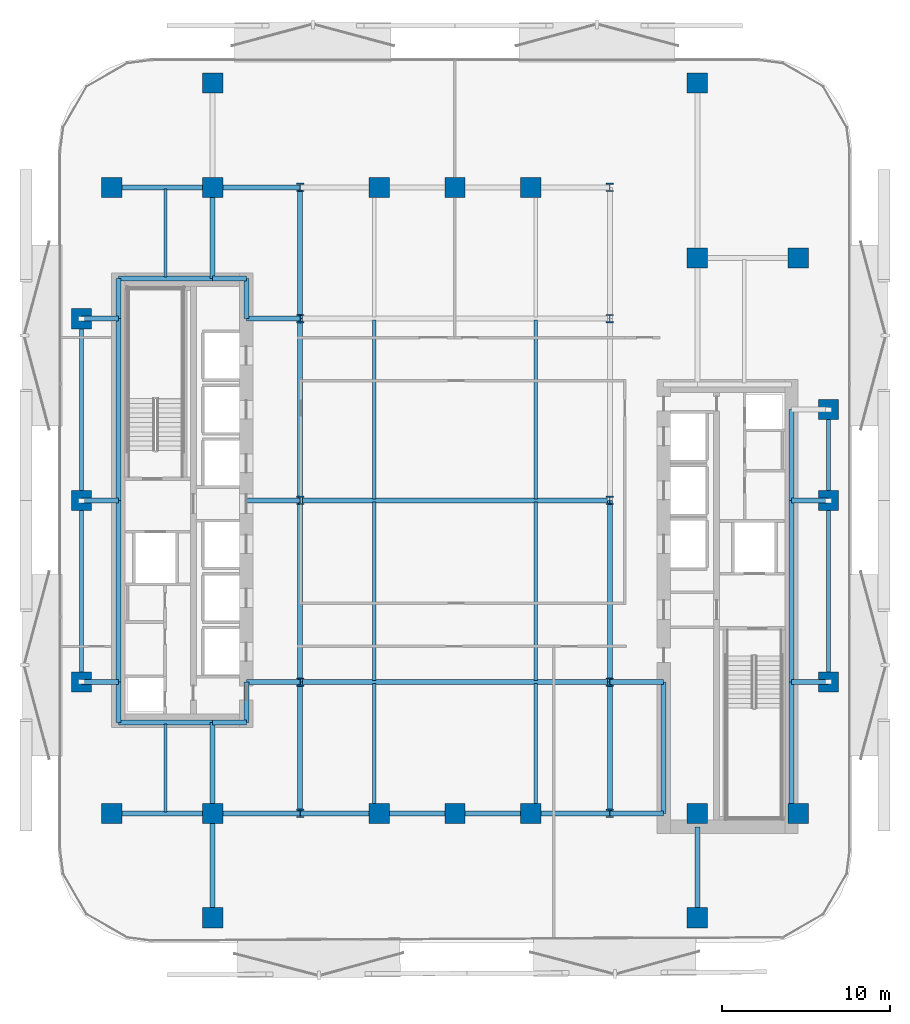
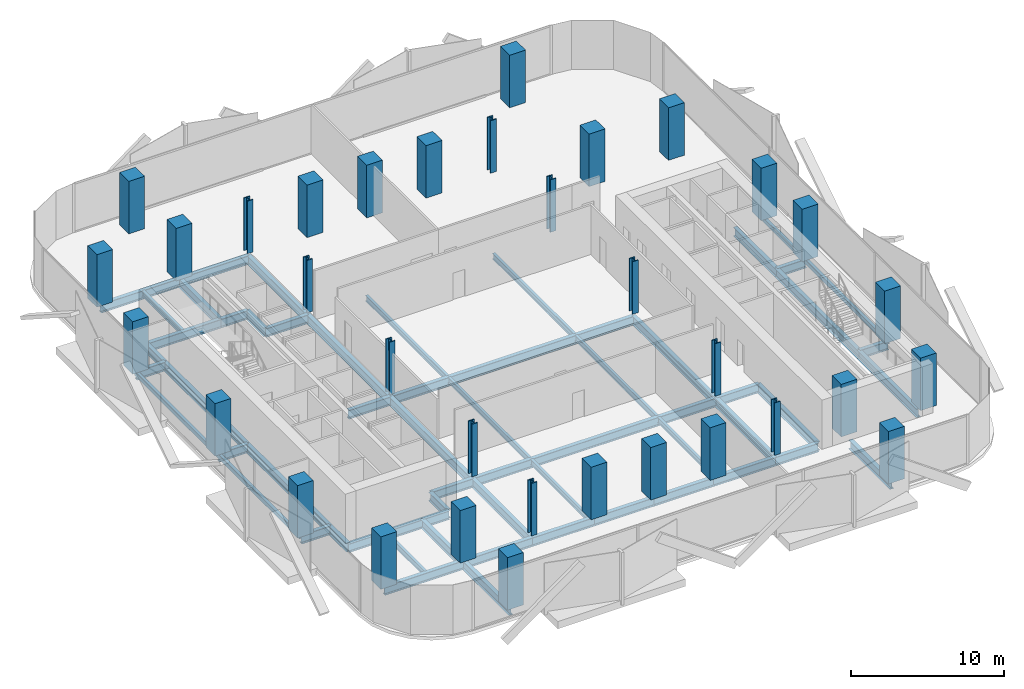
# One storey, part 1 of 14: 56 beams, 34 columns.
"""IFC4 building model written with IfcOpenShell, lengths in metres."""

from ifc_helpers import new_model, si_unit, direction, frame, origin, origin_2d, place, context, subcontext, project, spatial, rectangle, hollow_rectangle, i_section, extrude, material, material_profile, profile_set, type_object, element, save


model = new_model("IFC4")

# Units and contexts
model_context = context("Model", 3, precision=1e-05, world=origin(), true_north=direction((0.0, 1.0)))
body_context = subcontext(model_context, "Body", "Model", "MODEL_VIEW")
ifc_project = project(units=[si_unit("LENGTHUNIT", "METRE"), si_unit("AREAUNIT", "SQUARE_METRE"), si_unit("VOLUMEUNIT", "CUBIC_METRE"), si_unit("PLANEANGLEUNIT", "RADIAN"), si_unit("MASSUNIT", "GRAM", prefix="KILO")], contexts=[model_context])

# Site, building, storey
site_placement = place(None, origin())
site = spatial("IfcSite", under=ifc_project, at=site_placement, CompositionType="ELEMENT")
building_placement = place(site_placement, origin())
building = spatial("IfcBuilding", under=site, at=building_placement, Name="Khairoan Windgate Tower", CompositionType="ELEMENT")
storey_placement = place(building_placement, frame((0.0, 0.0, 93.199951171875)))
storey = spatial("IfcBuildingStorey", under=building, at=storey_placement, Name="L21", CompositionType="ELEMENT", Elevation=93.199951171875)

# Columns
ifc_material_1 = material(Name="Concrete C60/75", Category="concrete")
ifc_material_profile_1 = material_profile(ifc_material_1, rectangle(XDim=1.199951171875, YDim=1.199951171875, at=origin_2d()))
ifc_profile_set_1 = profile_set([ifc_material_profile_1], Name="Concrete C60/75")
column_type_1 = type_object("IfcColumnType", Name="Column C-T3 RC1200x1200", PredefinedType="COLUMN", material=ifc_profile_set_1)
for number, where, z_axis, x_axis, name in (
    (1, (-20.39990234375, -18.60009765625, 0.0), (0.0, 0.0, 1.0), (1.0, 0.0, 0.0), "Column L21-11"),
    (2, (-20.39990234375, 18.60009765625, 0.0), (0.0, 0.0, 1.0), (1.0, 0.0, 0.0), "Column L21-12"),
    (3, (20.39990234375, -18.60009765625, 0.0), (0.0, 0.0, 1.0), (1.0, 0.0, 0.0), "Column L21-13"),
    (4, (20.39990234375, 14.39990234375, 0.0), (0.0, 0.0, 1.0), (1.0, 0.0, 0.0), "Column L21-14"),
    (5, (-14.39990234375, -18.60009765625, 0.0), (0.0, 0.0, 1.0), (1.0, 0.0, 0.0), "Column L21-15"),
    (6, (-14.39990234375, 18.60009765625, 0.0), (0.0, 0.0, 1.0), (1.0, 0.0, 0.0), "Column L21-16"),
    (7, (14.39990234375, -18.60009765625, 0.0), (0.0, 0.0, 1.0), (1.0, 0.0, 0.0), "Column L21-17"),
    (8, (14.39990234375, 14.39990234375, 0.0), (0.0, 0.0, 1.0), (1.0, 0.0, 0.0), "Column L21-18"),
    (9, (-4.5, -18.60009765625, 0.0), (0.0, 0.0, 1.0), (1.0, 0.0, 0.0), "Column L21-19"),
    (10, (0.0, -18.60009765625, 0.0), (0.0, 0.0, 1.0), (1.0, 0.0, 0.0), "Column L21-20"),
    (11, (4.5, -18.60009765625, 0.0), (0.0, 0.0, 1.0), (1.0, 0.0, 0.0), "Column L21-21"),
    (12, (-4.5, 18.60009765625, 0.0), (0.0, 0.0, 1.0), (1.0, 0.0, 0.0), "Column L21-22"),
    (13, (0.0, 18.60009765625, 0.0), (0.0, 0.0, 1.0), (1.0, 0.0, 0.0), "Column L21-23"),
    (14, (4.5, 18.60009765625, 0.0), (0.0, 0.0, 1.0), (1.0, 0.0, 0.0), "Column L21-24"),
    (15, (-22.199951171875, -10.800048828125, 0.0), (0.0, 0.0, 1.0), (1.0, 0.0, 0.0), "Column L21-25"),
    (16, (-22.199951171875, 0.0, 0.0), (0.0, 0.0, 1.0), (1.0, 0.0, 0.0), "Column L21-26"),
    (17, (-22.199951171875, 10.800048828125, 0.0), (0.0, 0.0, 1.0), (1.0, 0.0, 0.0), "Column L21-27"),
    (18, (22.199951171875, -10.800048828125, 0.0), (0.0, 0.0, 1.0), (1.0, 0.0, 0.0), "Column L21-28"),
    (19, (22.199951171875, 0.0, 0.0), (0.0, 0.0, 1.0), (1.0, 0.0, 0.0), "Column L21-29"),
    (20, (22.199951171875, 5.39990234375, 0.0), (0.0, 0.0, 1.0), (1.0, 0.0, 0.0), "Column L21-30"),
    (21, (-14.39990234375, -24.800048828125, 0.0), (0.0, 0.0, 1.0), (1.0, 0.0, 0.0), "Column L21-31"),
    (22, (-14.39990234375, 24.800048828125, 0.0), (0.0, 0.0, 1.0), (1.0, 0.0, 0.0), "Column L21-32"),
    (23, (14.39990234375, -24.800048828125, 0.0), (0.0, 0.0, 1.0), (1.0, 0.0, 0.0), "Column L21-33"),
    (24, (14.39990234375, 24.800048828125, 0.0), (0.0, 0.0, 1.0), (1.0, 0.0, 0.0), "Column L21-34"),
):
    element("IfcColumn", number, at=place(storey_placement, frame(where, z_axis=z_axis, x_axis=x_axis)), inside=storey, type_object=column_type_1, Name=name, PredefinedType="COLUMN", context=body_context, shape_type="SweptSolid", body=[
        extrude(rectangle(XDim=1.199951171875, YDim=1.199951171875, at=origin_2d()), origin(), (0.0, 0.0, 1.0), 4.199951171875),
    ])
ifc_material_2 = material(Name="Steel S355", Category="steel")
ifc_material_profile_2 = material_profile(ifc_material_2, i_section(OverallWidth=0.431884765625, OverallDepth=0.498046875, WebThickness=0.044921875, FlangeThickness=0.070068359375, FilletRadius=0.02197265625, at=origin_2d()))
ifc_profile_set_2 = profile_set([ifc_material_profile_2], Name="Steel S355")
column_type_2 = type_object("IfcColumnType", Name="Steel Column SC1 H498x432x45x70", PredefinedType="COLUMN", material=ifc_profile_set_2)
for number, where, z_axis, x_axis, name in (
    (25, (-9.199951171875, -18.60009765625, 0.0), (0.0, 0.0, 1.0), (1.0, 0.0, 0.0), "Column L21-01"),
    (26, (-9.199951171875, -10.800048828125, 0.0), (0.0, 0.0, 1.0), (1.0, 0.0, 0.0), "Column L21-02"),
    (27, (-9.199951171875, 0.0, 0.0), (0.0, 0.0, 1.0), (1.0, 0.0, 0.0), "Column L21-03"),
    (28, (-9.199951171875, 10.800048828125, 0.0), (0.0, 0.0, 1.0), (1.0, 0.0, 0.0), "Column L21-04"),
    (29, (-9.199951171875, 18.60009765625, 0.0), (0.0, 0.0, 1.0), (1.0, 0.0, 0.0), "Column L21-05"),
    (30, (9.199951171875, -18.60009765625, 0.0), (0.0, 0.0, 1.0), (1.0, 0.0, 0.0), "Column L21-06"),
    (31, (9.199951171875, -10.800048828125, 0.0), (0.0, 0.0, 1.0), (1.0, 0.0, 0.0), "Column L21-07"),
    (32, (9.199951171875, 0.0, 0.0), (0.0, 0.0, 1.0), (1.0, 0.0, 0.0), "Column L21-08"),
    (33, (9.199951171875, 10.800048828125, 0.0), (0.0, 0.0, 1.0), (1.0, 0.0, 0.0), "Column L21-09"),
    (34, (9.199951171875, 18.60009765625, 0.0), (0.0, 0.0, 1.0), (1.0, 0.0, 0.0), "Column L21-10"),
):
    element("IfcColumn", number, at=place(storey_placement, frame(where, z_axis=z_axis, x_axis=x_axis)), inside=storey, type_object=column_type_2, Name=name, PredefinedType="COLUMN", context=body_context, shape_type="SweptSolid", body=[
        extrude(i_section(OverallWidth=0.431884765625, OverallDepth=0.498046875, WebThickness=0.044921875, FlangeThickness=0.070068359375, FilletRadius=0.02197265625, at=origin_2d()), origin(), (0.0, 0.0, 1.0), 4.199951171875),
    ])

# Beams
ifc_material_3 = material(Name="Steel S355", Category="steel")
ifc_material_profile_3 = material_profile(ifc_material_3, i_section(OverallWidth=0.300048828125, OverallDepth=0.699951171875, WebThickness=0.012939453125, FlangeThickness=0.02392578125, FilletRadius=0.02587890625, at=origin_2d()))
ifc_profile_set_3 = profile_set([ifc_material_profile_3], Name="Steel S355")
beam_type_1 = type_object("IfcBeamType", Name="Beam B-G3 H700x300x13x24", PredefinedType="BEAM", material=ifc_profile_set_3)
beam_1_placement = place(storey_placement, frame((-20.39990234375, -18.60009765625, -0.60986328125), z_axis=(1.0, 0.0, 0.0), x_axis=(0.0, 1.0, 0.0)))
element("IfcBeam", 35, at=beam_1_placement, inside=storey, type_object=beam_type_1, Name="L21 E-W Primary Girder 01", PredefinedType="BEAM", context=body_context, shape_type="SweptSolid", body=[
    extrude(i_section(OverallWidth=0.300048828125, OverallDepth=0.699951171875, WebThickness=0.012939453125, FlangeThickness=0.02392578125, FilletRadius=0.02587890625, at=origin_2d()), origin(), (0.0, 0.0, 1.0), 6.0),
])
beam_2_placement = place(storey_placement, frame((-14.39990234375, -18.60009765625, -0.60986328125), z_axis=(1.0, 0.0, 0.0), x_axis=(0.0, 1.0, 0.0)))
element("IfcBeam", 36, at=beam_2_placement, inside=storey, type_object=beam_type_1, Name="L21 E-W Primary Girder 02", PredefinedType="BEAM", context=body_context, shape_type="SweptSolid", body=[
    extrude(i_section(OverallWidth=0.300048828125, OverallDepth=0.699951171875, WebThickness=0.012939453125, FlangeThickness=0.02392578125, FilletRadius=0.02587890625, at=origin_2d()), origin(), (0.0, 0.0, 1.0), 5.199951171875),
])
beam_3_placement = place(storey_placement, frame((-9.199951171875, -18.60009765625, -0.60986328125), z_axis=(1.0, 0.0, 0.0), x_axis=(0.0, 1.0, 0.0)))
element("IfcBeam", 37, at=beam_3_placement, inside=storey, type_object=beam_type_1, Name="L21 E-W Primary Girder 03", PredefinedType="BEAM", context=body_context, shape_type="SweptSolid", body=[
    extrude(i_section(OverallWidth=0.300048828125, OverallDepth=0.699951171875, WebThickness=0.012939453125, FlangeThickness=0.02392578125, FilletRadius=0.02587890625, at=origin_2d()), origin(), (0.0, 0.0, 1.0), 4.699951171875),
])
for number, where, z_axis, x_axis, name in (
    (38, (-4.5, -18.60009765625, -0.60986328125), (1.0, 0.0, 0.0), (0.0, 1.0, 0.0), "L21 E-W Primary Girder 04"),
    (39, (0.0, -18.60009765625, -0.60986328125), (1.0, 0.0, 0.0), (0.0, 1.0, 0.0), "L21 E-W Primary Girder 05"),
):
    element("IfcBeam", number, at=place(storey_placement, frame(where, z_axis=z_axis, x_axis=x_axis)), inside=storey, type_object=beam_type_1, Name=name, PredefinedType="BEAM", context=body_context, shape_type="SweptSolid", body=[
        extrude(i_section(OverallWidth=0.300048828125, OverallDepth=0.699951171875, WebThickness=0.012939453125, FlangeThickness=0.02392578125, FilletRadius=0.02587890625, at=origin_2d()), origin(), (0.0, 0.0, 1.0), 4.5),
    ])
beam_4_placement = place(storey_placement, frame((4.5, -18.60009765625, -0.60986328125), z_axis=(1.0, 0.0, 0.0), x_axis=(0.0, 1.0, 0.0)))
element("IfcBeam", 40, at=beam_4_placement, inside=storey, type_object=beam_type_1, Name="L21 E-W Primary Girder 06", PredefinedType="BEAM", context=body_context, shape_type="SweptSolid", body=[
    extrude(i_section(OverallWidth=0.300048828125, OverallDepth=0.699951171875, WebThickness=0.012939453125, FlangeThickness=0.02392578125, FilletRadius=0.02587890625, at=origin_2d()), origin(), (0.0, 0.0, 1.0), 4.699951171875),
])
beam_5_placement = place(storey_placement, frame((9.199951171875, -18.60009765625, -0.60986328125), z_axis=(1.0, 0.0, 0.0), x_axis=(0.0, 1.0, 0.0)))
element("IfcBeam", 41, at=beam_5_placement, inside=storey, type_object=beam_type_1, Name="L21 E-W Primary Girder 07", PredefinedType="BEAM", context=body_context, shape_type="SweptSolid", body=[
    extrude(i_section(OverallWidth=0.300048828125, OverallDepth=0.699951171875, WebThickness=0.012939453125, FlangeThickness=0.02392578125, FilletRadius=0.02587890625, at=origin_2d()), origin(), (0.0, 0.0, 1.0), 3.199951171875),
])
beam_6_placement = place(storey_placement, frame((-20.0, -13.199951171875, -0.60986328125), z_axis=(1.0, 0.0, 0.0), x_axis=(0.0, 1.0, 0.0)))
element("IfcBeam", 42, at=beam_6_placement, inside=storey, type_object=beam_type_1, Name="L21 E-W Primary Girder 08", PredefinedType="BEAM", context=body_context, shape_type="SweptSolid", body=[
    extrude(i_section(OverallWidth=0.300048828125, OverallDepth=0.699951171875, WebThickness=0.012939453125, FlangeThickness=0.02392578125, FilletRadius=0.02587890625, at=origin_2d()), origin(), (0.0, 0.0, 1.0), 5.60009765625),
])
beam_7_placement = place(storey_placement, frame((-14.39990234375, -13.199951171875, -0.60986328125), z_axis=(1.0, 0.0, 0.0), x_axis=(0.0, 1.0, 0.0)))
element("IfcBeam", 43, at=beam_7_placement, inside=storey, type_object=beam_type_1, Name="L21 E-W Primary Girder 09", PredefinedType="BEAM", context=body_context, shape_type="SweptSolid", body=[
    extrude(i_section(OverallWidth=0.300048828125, OverallDepth=0.699951171875, WebThickness=0.012939453125, FlangeThickness=0.02392578125, FilletRadius=0.02587890625, at=origin_2d()), origin(), (0.0, 0.0, 1.0), 2.0),
])
beam_8_placement = place(storey_placement, frame((-22.199951171875, -10.800048828125, -0.60986328125), z_axis=(1.0, 0.0, 0.0), x_axis=(0.0, 1.0, 0.0)))
element("IfcBeam", 44, at=beam_8_placement, inside=storey, type_object=beam_type_1, Name="L21 E-W Primary Girder 10", PredefinedType="BEAM", context=body_context, shape_type="SweptSolid", body=[
    extrude(i_section(OverallWidth=0.300048828125, OverallDepth=0.699951171875, WebThickness=0.012939453125, FlangeThickness=0.02392578125, FilletRadius=0.02587890625, at=origin_2d()), origin(), (0.0, 0.0, 1.0), 2.199951171875),
])
beam_9_placement = place(storey_placement, frame((-12.39990234375, -10.800048828125, -0.60986328125), z_axis=(1.0, 0.0, 0.0), x_axis=(0.0, 1.0, 0.0)))
element("IfcBeam", 45, at=beam_9_placement, inside=storey, type_object=beam_type_1, Name="L21 E-W Primary Girder 11", PredefinedType="BEAM", context=body_context, shape_type="SweptSolid", body=[
    extrude(i_section(OverallWidth=0.300048828125, OverallDepth=0.699951171875, WebThickness=0.012939453125, FlangeThickness=0.02392578125, FilletRadius=0.02587890625, at=origin_2d()), origin(), (0.0, 0.0, 1.0), 3.199951171875),
])
beam_10_placement = place(storey_placement, frame((-9.199951171875, -10.800048828125, -0.60986328125), z_axis=(1.0, 0.0, 0.0), x_axis=(0.0, 1.0, 0.0)))
element("IfcBeam", 46, at=beam_10_placement, inside=storey, type_object=beam_type_1, Name="L21 E-W Primary Girder 12", PredefinedType="BEAM", context=body_context, shape_type="SweptSolid", body=[
    extrude(i_section(OverallWidth=0.300048828125, OverallDepth=0.699951171875, WebThickness=0.012939453125, FlangeThickness=0.02392578125, FilletRadius=0.02587890625, at=origin_2d()), origin(), (0.0, 0.0, 1.0), 18.39990234375),
])
beam_11_placement = place(storey_placement, frame((9.199951171875, -10.800048828125, -0.60986328125), z_axis=(1.0, 0.0, 0.0), x_axis=(0.0, 1.0, 0.0)))
element("IfcBeam", 47, at=beam_11_placement, inside=storey, type_object=beam_type_1, Name="L21 E-W Primary Girder 13", PredefinedType="BEAM", context=body_context, shape_type="SweptSolid", body=[
    extrude(i_section(OverallWidth=0.300048828125, OverallDepth=0.699951171875, WebThickness=0.012939453125, FlangeThickness=0.02392578125, FilletRadius=0.02587890625, at=origin_2d()), origin(), (0.0, 0.0, 1.0), 3.199951171875),
])
for number, where, z_axis, x_axis, name in (
    (48, (20.0, -10.800048828125, -0.60986328125), (1.0, 0.0, 0.0), (0.0, 1.0, 0.0), "L21 E-W Primary Girder 14"),
    (49, (-22.199951171875, 0.0, -0.60986328125), (1.0, 0.0, 0.0), (0.0, 1.0, 0.0), "L21 E-W Primary Girder 15"),
):
    element("IfcBeam", number, at=place(storey_placement, frame(where, z_axis=z_axis, x_axis=x_axis)), inside=storey, type_object=beam_type_1, Name=name, PredefinedType="BEAM", context=body_context, shape_type="SweptSolid", body=[
        extrude(i_section(OverallWidth=0.300048828125, OverallDepth=0.699951171875, WebThickness=0.012939453125, FlangeThickness=0.02392578125, FilletRadius=0.02587890625, at=origin_2d()), origin(), (0.0, 0.0, 1.0), 2.199951171875),
    ])
beam_12_placement = place(storey_placement, frame((-12.39990234375, 0.0, -0.60986328125), z_axis=(1.0, 0.0, 0.0), x_axis=(0.0, 1.0, 0.0)))
element("IfcBeam", 50, at=beam_12_placement, inside=storey, type_object=beam_type_1, Name="L21 E-W Primary Girder 16", PredefinedType="BEAM", context=body_context, shape_type="SweptSolid", body=[
    extrude(i_section(OverallWidth=0.300048828125, OverallDepth=0.699951171875, WebThickness=0.012939453125, FlangeThickness=0.02392578125, FilletRadius=0.02587890625, at=origin_2d()), origin(), (0.0, 0.0, 1.0), 3.199951171875),
])
beam_13_placement = place(storey_placement, frame((-9.199951171875, 0.0, -0.60986328125), z_axis=(1.0, 0.0, 0.0), x_axis=(0.0, 1.0, 0.0)))
element("IfcBeam", 51, at=beam_13_placement, inside=storey, type_object=beam_type_1, Name="L21 E-W Primary Girder 17", PredefinedType="BEAM", context=body_context, shape_type="SweptSolid", body=[
    extrude(i_section(OverallWidth=0.300048828125, OverallDepth=0.699951171875, WebThickness=0.012939453125, FlangeThickness=0.02392578125, FilletRadius=0.02587890625, at=origin_2d()), origin(), (0.0, 0.0, 1.0), 18.39990234375),
])
for number, where, z_axis, x_axis, name in (
    (52, (20.0, 0.0, -0.60986328125), (1.0, 0.0, 0.0), (0.0, 1.0, 0.0), "L21 E-W Primary Girder 18"),
    (53, (-22.199951171875, 10.800048828125, -0.60986328125), (1.0, 0.0, 0.0), (0.0, 1.0, 0.0), "L21 E-W Primary Girder 22"),
):
    element("IfcBeam", number, at=place(storey_placement, frame(where, z_axis=z_axis, x_axis=x_axis)), inside=storey, type_object=beam_type_1, Name=name, PredefinedType="BEAM", context=body_context, shape_type="SweptSolid", body=[
        extrude(i_section(OverallWidth=0.300048828125, OverallDepth=0.699951171875, WebThickness=0.012939453125, FlangeThickness=0.02392578125, FilletRadius=0.02587890625, at=origin_2d()), origin(), (0.0, 0.0, 1.0), 2.199951171875),
    ])
beam_14_placement = place(storey_placement, frame((-12.39990234375, 10.800048828125, -0.60986328125), z_axis=(1.0, 0.0, 0.0), x_axis=(0.0, 1.0, 0.0)))
element("IfcBeam", 54, at=beam_14_placement, inside=storey, type_object=beam_type_1, Name="L21 E-W Primary Girder 23", PredefinedType="BEAM", context=body_context, shape_type="SweptSolid", body=[
    extrude(i_section(OverallWidth=0.300048828125, OverallDepth=0.699951171875, WebThickness=0.012939453125, FlangeThickness=0.02392578125, FilletRadius=0.02587890625, at=origin_2d()), origin(), (0.0, 0.0, 1.0), 3.199951171875),
])
beam_15_placement = place(storey_placement, frame((-20.0, 13.199951171875, -0.60986328125), z_axis=(1.0, 0.0, 0.0), x_axis=(0.0, 1.0, 0.0)))
element("IfcBeam", 55, at=beam_15_placement, inside=storey, type_object=beam_type_1, Name="L21 E-W Primary Girder 25", PredefinedType="BEAM", context=body_context, shape_type="SweptSolid", body=[
    extrude(i_section(OverallWidth=0.300048828125, OverallDepth=0.699951171875, WebThickness=0.012939453125, FlangeThickness=0.02392578125, FilletRadius=0.02587890625, at=origin_2d()), origin(), (0.0, 0.0, 1.0), 5.60009765625),
])
beam_16_placement = place(storey_placement, frame((-14.39990234375, 13.199951171875, -0.60986328125), z_axis=(1.0, 0.0, 0.0), x_axis=(0.0, 1.0, 0.0)))
element("IfcBeam", 56, at=beam_16_placement, inside=storey, type_object=beam_type_1, Name="L21 E-W Primary Girder 26", PredefinedType="BEAM", context=body_context, shape_type="SweptSolid", body=[
    extrude(i_section(OverallWidth=0.300048828125, OverallDepth=0.699951171875, WebThickness=0.012939453125, FlangeThickness=0.02392578125, FilletRadius=0.02587890625, at=origin_2d()), origin(), (0.0, 0.0, 1.0), 2.0),
])
beam_17_placement = place(storey_placement, frame((-20.39990234375, 18.60009765625, -0.60986328125), z_axis=(1.0, 0.0, 0.0), x_axis=(0.0, 1.0, 0.0)))
element("IfcBeam", 57, at=beam_17_placement, inside=storey, type_object=beam_type_1, Name="L21 E-W Primary Girder 28", PredefinedType="BEAM", context=body_context, shape_type="SweptSolid", body=[
    extrude(i_section(OverallWidth=0.300048828125, OverallDepth=0.699951171875, WebThickness=0.012939453125, FlangeThickness=0.02392578125, FilletRadius=0.02587890625, at=origin_2d()), origin(), (0.0, 0.0, 1.0), 6.0),
])
beam_18_placement = place(storey_placement, frame((-14.39990234375, 18.60009765625, -0.60986328125), z_axis=(1.0, 0.0, 0.0), x_axis=(0.0, 1.0, 0.0)))
element("IfcBeam", 58, at=beam_18_placement, inside=storey, type_object=beam_type_1, Name="L21 E-W Primary Girder 29", PredefinedType="BEAM", context=body_context, shape_type="SweptSolid", body=[
    extrude(i_section(OverallWidth=0.300048828125, OverallDepth=0.699951171875, WebThickness=0.012939453125, FlangeThickness=0.02392578125, FilletRadius=0.02587890625, at=origin_2d()), origin(), (0.0, 0.0, 1.0), 5.199951171875),
])
beam_19_placement = place(storey_placement, frame((-20.0, -13.199951171875, -0.60986328125), z_axis=(0.0, 1.0, 0.0), x_axis=(-1.0, 0.0, 0.0)))
element("IfcBeam", 59, at=beam_19_placement, inside=storey, type_object=beam_type_1, Name="L21 N-S Primary Beam 36", PredefinedType="BEAM", context=body_context, shape_type="SweptSolid", body=[
    extrude(i_section(OverallWidth=0.300048828125, OverallDepth=0.699951171875, WebThickness=0.012939453125, FlangeThickness=0.02392578125, FilletRadius=0.02587890625, at=origin_2d()), origin(), (0.0, 0.0, 1.0), 2.39990234375),
])
for number, where, z_axis, x_axis, name in (
    (60, (-20.0, -10.800048828125, -0.60986328125), (0.0, 1.0, 0.0), (-1.0, 0.0, 0.0), "L21 N-S Primary Beam 37"),
    (61, (-20.0, 0.0, -0.60986328125), (0.0, 1.0, 0.0), (-1.0, 0.0, 0.0), "L21 N-S Primary Beam 38"),
):
    element("IfcBeam", number, at=place(storey_placement, frame(where, z_axis=z_axis, x_axis=x_axis)), inside=storey, type_object=beam_type_1, Name=name, PredefinedType="BEAM", context=body_context, shape_type="SweptSolid", body=[
        extrude(i_section(OverallWidth=0.300048828125, OverallDepth=0.699951171875, WebThickness=0.012939453125, FlangeThickness=0.02392578125, FilletRadius=0.02587890625, at=origin_2d()), origin(), (0.0, 0.0, 1.0), 10.800048828125),
    ])
beam_20_placement = place(storey_placement, frame((-20.0, 10.800048828125, -0.60986328125), z_axis=(0.0, 1.0, 0.0), x_axis=(-1.0, 0.0, 0.0)))
element("IfcBeam", 62, at=beam_20_placement, inside=storey, type_object=beam_type_1, Name="L21 N-S Primary Beam 39", PredefinedType="BEAM", context=body_context, shape_type="SweptSolid", body=[
    extrude(i_section(OverallWidth=0.300048828125, OverallDepth=0.699951171875, WebThickness=0.012939453125, FlangeThickness=0.02392578125, FilletRadius=0.02587890625, at=origin_2d()), origin(), (0.0, 0.0, 1.0), 2.39990234375),
])
beam_21_placement = place(storey_placement, frame((-14.39990234375, -24.800048828125, -0.60986328125), z_axis=(0.0, 1.0, 0.0), x_axis=(-1.0, 0.0, 0.0)))
element("IfcBeam", 63, at=beam_21_placement, inside=storey, type_object=beam_type_1, Name="L21 N-S Primary Beam 40", PredefinedType="BEAM", context=body_context, shape_type="SweptSolid", body=[
    extrude(i_section(OverallWidth=0.300048828125, OverallDepth=0.699951171875, WebThickness=0.012939453125, FlangeThickness=0.02392578125, FilletRadius=0.02587890625, at=origin_2d()), origin(), (0.0, 0.0, 1.0), 6.199951171875),
])
for number, where, z_axis, x_axis, name in (
    (64, (-14.39990234375, -18.60009765625, -0.60986328125), (0.0, 1.0, 0.0), (-1.0, 0.0, 0.0), "L21 N-S Primary Beam 41"),
    (65, (-14.39990234375, 13.199951171875, -0.60986328125), (0.0, 1.0, 0.0), (-1.0, 0.0, 0.0), "L21 N-S Primary Beam 42"),
):
    element("IfcBeam", number, at=place(storey_placement, frame(where, z_axis=z_axis, x_axis=x_axis)), inside=storey, type_object=beam_type_1, Name=name, PredefinedType="BEAM", context=body_context, shape_type="SweptSolid", body=[
        extrude(i_section(OverallWidth=0.300048828125, OverallDepth=0.699951171875, WebThickness=0.012939453125, FlangeThickness=0.02392578125, FilletRadius=0.02587890625, at=origin_2d()), origin(), (0.0, 0.0, 1.0), 5.400146484375),
    ])
for number, where, z_axis, x_axis, name in (
    (66, (-12.39990234375, -13.199951171875, -0.60986328125), (0.0, 1.0, 0.0), (-1.0, 0.0, 0.0), "L21 N-S Primary Beam 44"),
    (67, (-12.39990234375, 10.800048828125, -0.60986328125), (0.0, 1.0, 0.0), (-1.0, 0.0, 0.0), "L21 N-S Primary Beam 45"),
):
    element("IfcBeam", number, at=place(storey_placement, frame(where, z_axis=z_axis, x_axis=x_axis)), inside=storey, type_object=beam_type_1, Name=name, PredefinedType="BEAM", context=body_context, shape_type="SweptSolid", body=[
        extrude(i_section(OverallWidth=0.300048828125, OverallDepth=0.699951171875, WebThickness=0.012939453125, FlangeThickness=0.02392578125, FilletRadius=0.02587890625, at=origin_2d()), origin(), (0.0, 0.0, 1.0), 2.39990234375),
    ])
beam_22_placement = place(storey_placement, frame((-9.199951171875, -18.60009765625, -0.60986328125), z_axis=(0.0, 1.0, 0.0), x_axis=(-1.0, 0.0, 0.0)))
element("IfcBeam", 68, at=beam_22_placement, inside=storey, type_object=beam_type_1, Name="L21 N-S Primary Beam 46", PredefinedType="BEAM", context=body_context, shape_type="SweptSolid", body=[
    extrude(i_section(OverallWidth=0.300048828125, OverallDepth=0.699951171875, WebThickness=0.012939453125, FlangeThickness=0.02392578125, FilletRadius=0.02587890625, at=origin_2d()), origin(), (0.0, 0.0, 1.0), 7.800048828125),
])
for number, where, z_axis, x_axis, name in (
    (69, (-9.199951171875, -10.800048828125, -0.60986328125), (0.0, 1.0, 0.0), (-1.0, 0.0, 0.0), "L21 N-S Primary Beam 47"),
    (70, (-9.199951171875, 0.0, -0.60986328125), (0.0, 1.0, 0.0), (-1.0, 0.0, 0.0), "L21 N-S Primary Beam 48"),
):
    element("IfcBeam", number, at=place(storey_placement, frame(where, z_axis=z_axis, x_axis=x_axis)), inside=storey, type_object=beam_type_1, Name=name, PredefinedType="BEAM", context=body_context, shape_type="SweptSolid", body=[
        extrude(i_section(OverallWidth=0.300048828125, OverallDepth=0.699951171875, WebThickness=0.012939453125, FlangeThickness=0.02392578125, FilletRadius=0.02587890625, at=origin_2d()), origin(), (0.0, 0.0, 1.0), 10.800048828125),
    ])
for number, where, z_axis, x_axis, name in (
    (71, (-9.199951171875, 10.800048828125, -0.60986328125), (0.0, 1.0, 0.0), (-1.0, 0.0, 0.0), "L21 N-S Primary Beam 49"),
    (72, (9.199951171875, -18.60009765625, -0.60986328125), (0.0, 1.0, 0.0), (-1.0, 0.0, 0.0), "L21 N-S Primary Beam 50"),
):
    element("IfcBeam", number, at=place(storey_placement, frame(where, z_axis=z_axis, x_axis=x_axis)), inside=storey, type_object=beam_type_1, Name=name, PredefinedType="BEAM", context=body_context, shape_type="SweptSolid", body=[
        extrude(i_section(OverallWidth=0.300048828125, OverallDepth=0.699951171875, WebThickness=0.012939453125, FlangeThickness=0.02392578125, FilletRadius=0.02587890625, at=origin_2d()), origin(), (0.0, 0.0, 1.0), 7.800048828125),
    ])
beam_23_placement = place(storey_placement, frame((9.199951171875, -10.800048828125, -0.60986328125), z_axis=(0.0, 1.0, 0.0), x_axis=(-1.0, 0.0, 0.0)))
element("IfcBeam", 73, at=beam_23_placement, inside=storey, type_object=beam_type_1, Name="L21 N-S Primary Beam 51", PredefinedType="BEAM", context=body_context, shape_type="SweptSolid", body=[
    extrude(i_section(OverallWidth=0.300048828125, OverallDepth=0.699951171875, WebThickness=0.012939453125, FlangeThickness=0.02392578125, FilletRadius=0.02587890625, at=origin_2d()), origin(), (0.0, 0.0, 1.0), 10.800048828125),
])
beam_24_placement = place(storey_placement, frame((12.39990234375, -18.60009765625, -0.60986328125), z_axis=(0.0, 1.0, 0.0), x_axis=(-1.0, 0.0, 0.0)))
element("IfcBeam", 74, at=beam_24_placement, inside=storey, type_object=beam_type_1, Name="L21 N-S Primary Beam 54", PredefinedType="BEAM", context=body_context, shape_type="SweptSolid", body=[
    extrude(i_section(OverallWidth=0.300048828125, OverallDepth=0.699951171875, WebThickness=0.012939453125, FlangeThickness=0.02392578125, FilletRadius=0.02587890625, at=origin_2d()), origin(), (0.0, 0.0, 1.0), 7.800048828125),
])
beam_25_placement = place(storey_placement, frame((14.39990234375, -24.800048828125, -0.60986328125), z_axis=(0.0, 1.0, 0.0), x_axis=(-1.0, 0.0, 0.0)))
element("IfcBeam", 75, at=beam_25_placement, inside=storey, type_object=beam_type_1, Name="L21 N-S Primary Beam 55", PredefinedType="BEAM", context=body_context, shape_type="SweptSolid", body=[
    extrude(i_section(OverallWidth=0.300048828125, OverallDepth=0.699951171875, WebThickness=0.012939453125, FlangeThickness=0.02392578125, FilletRadius=0.02587890625, at=origin_2d()), origin(), (0.0, 0.0, 1.0), 5.400146484375),
])
beam_26_placement = place(storey_placement, frame((20.0, -18.60009765625, -0.60986328125), z_axis=(0.0, 1.0, 0.0), x_axis=(-1.0, 0.0, 0.0)))
element("IfcBeam", 76, at=beam_26_placement, inside=storey, type_object=beam_type_1, Name="L21 N-S Primary Beam 58", PredefinedType="BEAM", context=body_context, shape_type="SweptSolid", body=[
    extrude(i_section(OverallWidth=0.300048828125, OverallDepth=0.699951171875, WebThickness=0.012939453125, FlangeThickness=0.02392578125, FilletRadius=0.02587890625, at=origin_2d()), origin(), (0.0, 0.0, 1.0), 7.800048828125),
])
beam_27_placement = place(storey_placement, frame((20.0, -10.800048828125, -0.60986328125), z_axis=(0.0, 1.0, 0.0), x_axis=(-1.0, 0.0, 0.0)))
element("IfcBeam", 77, at=beam_27_placement, inside=storey, type_object=beam_type_1, Name="L21 N-S Primary Beam 59", PredefinedType="BEAM", context=body_context, shape_type="SweptSolid", body=[
    extrude(i_section(OverallWidth=0.300048828125, OverallDepth=0.699951171875, WebThickness=0.012939453125, FlangeThickness=0.02392578125, FilletRadius=0.02587890625, at=origin_2d()), origin(), (0.0, 0.0, 1.0), 10.800048828125),
])
beam_28_placement = place(storey_placement, frame((20.0, 0.0, -0.60986328125), z_axis=(0.0, 1.0, 0.0), x_axis=(-1.0, 0.0, 0.0)))
element("IfcBeam", 78, at=beam_28_placement, inside=storey, type_object=beam_type_1, Name="L21 N-S Primary Beam 60", PredefinedType="BEAM", context=body_context, shape_type="SweptSolid", body=[
    extrude(i_section(OverallWidth=0.300048828125, OverallDepth=0.699951171875, WebThickness=0.012939453125, FlangeThickness=0.02392578125, FilletRadius=0.02587890625, at=origin_2d()), origin(), (0.0, 0.0, 1.0), 5.39990234375),
])
ifc_material_4 = material(Name="Steel S355", Category="steel")
ifc_material_profile_4 = material_profile(ifc_material_4, i_section(OverallWidth=0.199951171875, OverallDepth=0.449951171875, WebThickness=0.009033203125, FlangeThickness=0.013916015625, FilletRadius=0.01806640625, at=origin_2d()))
ifc_profile_set_4 = profile_set([ifc_material_profile_4], Name="Steel S355")
beam_type_2 = type_object("IfcBeamType", Name="Beam J-S3 H450x200x9x14", PredefinedType="JOIST", material=ifc_profile_set_4)
for number, where, z_axis, x_axis, name in (
    (79, (-17.199951171875, -18.510009765625, -0.48486328125), (0.0, 1.0, 0.0), (-1.0, 0.0, 0.0), "L21 Secondary Floor Joist 01"),
    (80, (-17.199951171875, 13.2900390625, -0.48486328125), (0.0, 1.0, 0.0), (-1.0, 0.0, 0.0), "L21 Secondary Floor Joist 02"),
):
    element("IfcBeam", number, at=place(storey_placement, frame(where, z_axis=z_axis, x_axis=x_axis)), inside=storey, type_object=beam_type_2, Name=name, PredefinedType="JOIST", context=body_context, shape_type="SweptSolid", body=[
        extrude(i_section(OverallWidth=0.199951171875, OverallDepth=0.449951171875, WebThickness=0.009033203125, FlangeThickness=0.013916015625, FilletRadius=0.01806640625, at=origin_2d()), origin(), (0.0, 0.0, 1.0), 5.219970703125),
    ])
beam_29_placement = place(storey_placement, frame((-4.800048828125, -18.510009765625, -0.48486328125), z_axis=(0.0, 1.0, 0.0), x_axis=(-1.0, 0.0, 0.0)))
element("IfcBeam", 81, at=beam_29_placement, inside=storey, type_object=beam_type_2, Name="L21 Secondary Floor Joist 03", PredefinedType="JOIST", context=body_context, shape_type="SweptSolid", body=[
    extrude(i_section(OverallWidth=0.199951171875, OverallDepth=0.449951171875, WebThickness=0.009033203125, FlangeThickness=0.013916015625, FilletRadius=0.01806640625, at=origin_2d()), origin(), (0.0, 0.0, 1.0), 7.6201171875),
])
for number, where, z_axis, x_axis, name in (
    (82, (-4.800048828125, -10.7099609375, -0.48486328125), (0.0, 1.0, 0.0), (-1.0, 0.0, 0.0), "L21 Secondary Floor Joist 04"),
    (83, (-4.800048828125, 0.090087890625, -0.48486328125), (0.0, 1.0, 0.0), (-1.0, 0.0, 0.0), "L21 Secondary Floor Joist 05"),
):
    element("IfcBeam", number, at=place(storey_placement, frame(where, z_axis=z_axis, x_axis=x_axis)), inside=storey, type_object=beam_type_2, Name=name, PredefinedType="JOIST", context=body_context, shape_type="SweptSolid", body=[
        extrude(i_section(OverallWidth=0.199951171875, OverallDepth=0.449951171875, WebThickness=0.009033203125, FlangeThickness=0.013916015625, FilletRadius=0.01806640625, at=origin_2d()), origin(), (0.0, 0.0, 1.0), 10.619873046875),
    ])
beam_30_placement = place(storey_placement, frame((4.800048828125, -18.510009765625, -0.48486328125), z_axis=(0.0, 1.0, 0.0), x_axis=(-1.0, 0.0, 0.0)))
element("IfcBeam", 84, at=beam_30_placement, inside=storey, type_object=beam_type_2, Name="L21 Secondary Floor Joist 07", PredefinedType="JOIST", context=body_context, shape_type="SweptSolid", body=[
    extrude(i_section(OverallWidth=0.199951171875, OverallDepth=0.449951171875, WebThickness=0.009033203125, FlangeThickness=0.013916015625, FilletRadius=0.01806640625, at=origin_2d()), origin(), (0.0, 0.0, 1.0), 7.6201171875),
])
for number, where, z_axis, x_axis, name in (
    (85, (4.800048828125, -10.7099609375, -0.48486328125), (0.0, 1.0, 0.0), (-1.0, 0.0, 0.0), "L21 Secondary Floor Joist 08"),
    (86, (4.800048828125, 0.090087890625, -0.48486328125), (0.0, 1.0, 0.0), (-1.0, 0.0, 0.0), "L21 Secondary Floor Joist 09"),
):
    element("IfcBeam", number, at=place(storey_placement, frame(where, z_axis=z_axis, x_axis=x_axis)), inside=storey, type_object=beam_type_2, Name=name, PredefinedType="JOIST", context=body_context, shape_type="SweptSolid", body=[
        extrude(i_section(OverallWidth=0.199951171875, OverallDepth=0.449951171875, WebThickness=0.009033203125, FlangeThickness=0.013916015625, FilletRadius=0.01806640625, at=origin_2d()), origin(), (0.0, 0.0, 1.0), 10.619873046875),
    ])
ifc_material_5 = material(Name="Steel S355", Category="steel")
ifc_material_profile_5 = material_profile(ifc_material_5, hollow_rectangle(XDim=0.25, YDim=0.35009765625, WallThickness=0.012451171875, InnerFilletRadius=0.012451171875, OuterFilletRadius=0.02490234375, at=origin_2d()))
ifc_profile_set_5 = profile_set([ifc_material_profile_5], Name="Steel S355")
beam_type_3 = type_object("IfcBeamType", Name="Beam SP-B2 RHS350x250x12.5", PredefinedType="SPANDREL", material=ifc_profile_set_5)
for number, where, z_axis, x_axis, name in (
    (87, (-22.199951171875, -10.800048828125, -0.43505859375), (0.0, 1.0, 0.0), (-1.0, 0.0, 0.0), "L21 Spandrel Beam 34"),
    (88, (-22.199951171875, 0.0, -0.43505859375), (0.0, 1.0, 0.0), (-1.0, 0.0, 0.0), "L21 Spandrel Beam 35"),
    (89, (22.199951171875, -10.800048828125, -0.43505859375), (0.0, 1.0, 0.0), (-1.0, 0.0, 0.0), "L21 Spandrel Beam 61"),
):
    element("IfcBeam", number, at=place(storey_placement, frame(where, z_axis=z_axis, x_axis=x_axis)), inside=storey, type_object=beam_type_3, Name=name, PredefinedType="SPANDREL", context=body_context, shape_type="SweptSolid", body=[
        extrude(hollow_rectangle(XDim=0.25, YDim=0.35009765625, WallThickness=0.012451171875, InnerFilletRadius=0.012451171875, OuterFilletRadius=0.02490234375, at=origin_2d()), origin(), (0.0, 0.0, 1.0), 10.800048828125),
    ])
beam_31_placement = place(storey_placement, frame((22.199951171875, 0.0, -0.43505859375), z_axis=(0.0, 1.0, 0.0), x_axis=(-1.0, 0.0, 0.0)))
element("IfcBeam", 90, at=beam_31_placement, inside=storey, type_object=beam_type_3, Name="L21 Spandrel Beam 62", PredefinedType="SPANDREL", context=body_context, shape_type="SweptSolid", body=[
    extrude(hollow_rectangle(XDim=0.25, YDim=0.35009765625, WallThickness=0.012451171875, InnerFilletRadius=0.012451171875, OuterFilletRadius=0.02490234375, at=origin_2d()), origin(), (0.0, 0.0, 1.0), 5.39990234375),
])

save(model, "model.ifc")
